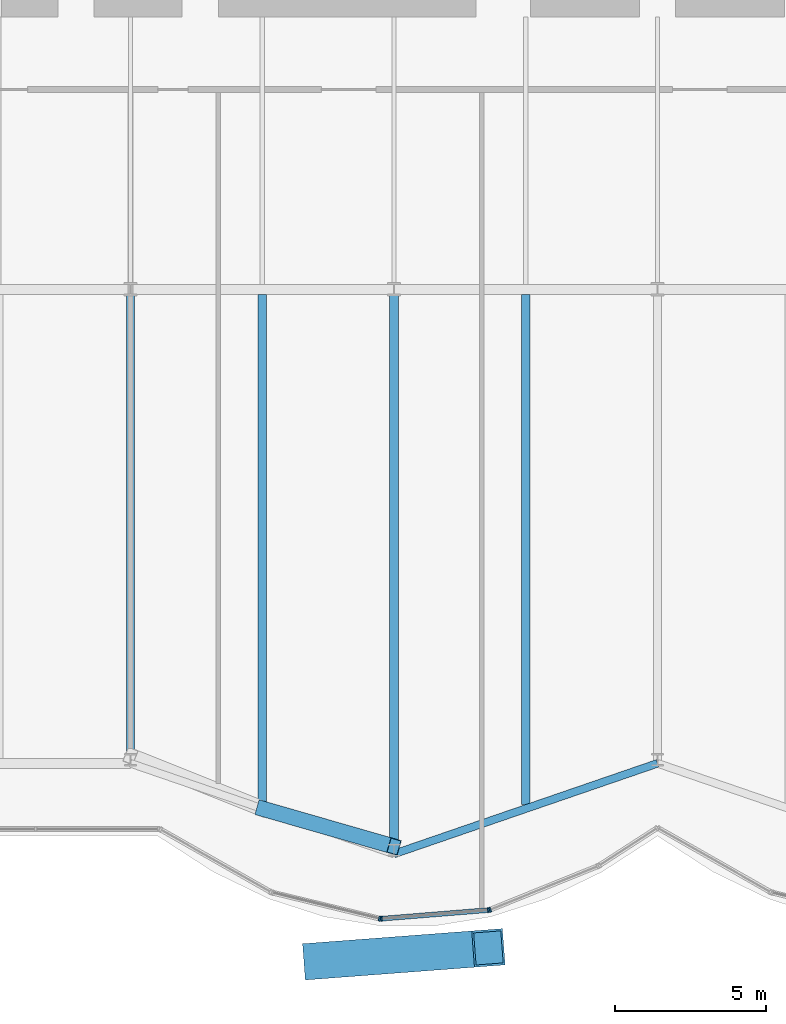
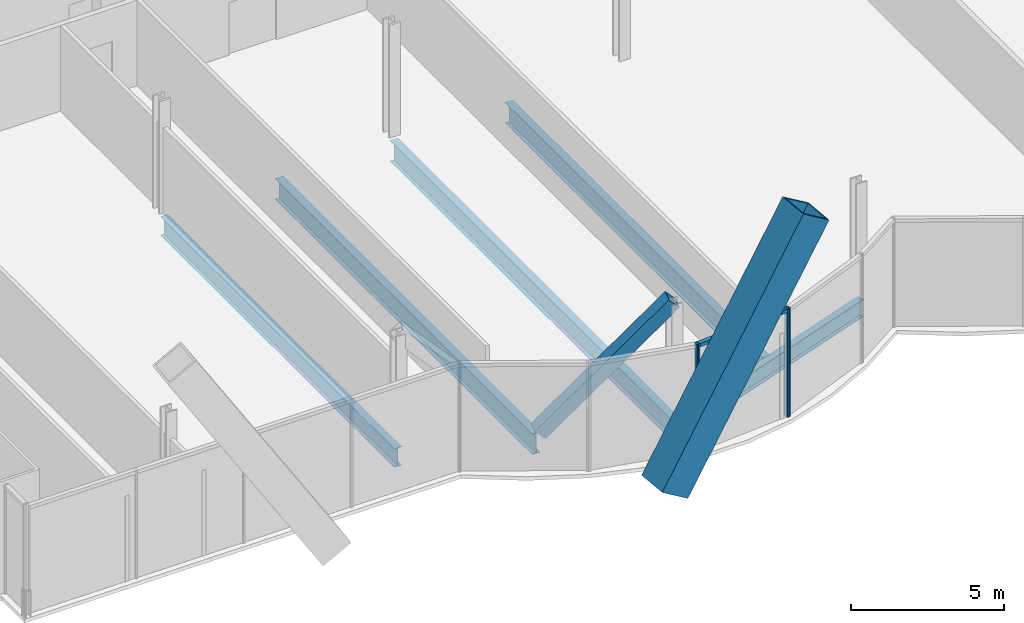
# One storey, part 5 of 22: 7 members, 5 beams, 1 element without a shape of its own.
"""IFC4 building model written with IfcOpenShell, lengths in metres."""

from ifc_helpers import new_model, si_unit, direction, frame, origin, origin_2d, place, context, subcontext, project, spatial, rectangle, hollow_rectangle, i_section, extrude, material, material_profile, profile_set, type_object, element, aggregate, save


model = new_model("IFC4")

# Units and contexts
model_context = context("Model", 3, precision=1e-05, world=origin(), true_north=direction((0.0, 1.0)))
body_context = subcontext(model_context, "Body", "Model", "MODEL_VIEW")
ifc_project = project(units=[si_unit("LENGTHUNIT", "METRE"), si_unit("AREAUNIT", "SQUARE_METRE"), si_unit("VOLUMEUNIT", "CUBIC_METRE"), si_unit("PLANEANGLEUNIT", "RADIAN"), si_unit("MASSUNIT", "GRAM", prefix="KILO")], contexts=[model_context])

# Site, building, storey
site_placement = place(None, origin())
site = spatial("IfcSite", under=ifc_project, at=site_placement, CompositionType="ELEMENT")
building_placement = place(site_placement, origin())
building = spatial("IfcBuilding", under=site, at=building_placement, Name="Bicima Exchange Tower", CompositionType="ELEMENT")
storey_placement = place(building_placement, frame((0.0, 0.0, 71.0)))
storey = spatial("IfcBuildingStorey", under=building, at=storey_placement, Name="L14", CompositionType="ELEMENT", Elevation=71.0)

# Member
ifc_material_1 = material(Name="Steel ASTM A572 Gr 50", Category="steel")
ifc_material_profile_1 = material_profile(ifc_material_1, hollow_rectangle(XDim=1.199951171875, YDim=1.199951171875, WallThickness=0.070068359375, at=origin_2d()))
ifc_profile_set_1 = profile_set([ifc_material_profile_1], Name="Steel ASTM A572 Gr 50")
member_type_1 = type_object("IfcMemberType", Name="Exo mega brace BOX 1200x1200x70", PredefinedType="BRACE", material=ifc_profile_set_1)
member_1_placement = place(storey_placement, frame((-11.166748046875, -44.164794921875, 0.14990234375), z_axis=(0.529937371466, 0.040087085817, 0.847088783939), x_axis=(-0.075429447935, 0.997151141194, 0.0)))
element("IfcMember", 1, at=member_1_placement, inside=storey, type_object=member_type_1, Name="Exo mega brace front", PredefinedType="BRACE", context=body_context, shape_type="SweptSolid", body=[
    extrude(hollow_rectangle(XDim=1.199951171875, YDim=1.199951171875, WallThickness=0.070068359375, at=origin_2d()), origin(), (0.0, 0.0, 1.0), 10.5361328125),
])

# Beams
ifc_material_2 = material(Name="Steel ASTM A992 Gr 50", Category="steel")
ifc_material_profile_2 = material_profile(ifc_material_2, i_section(OverallWidth=0.2666015625, OverallDepth=0.75439453125, WebThickness=0.01318359375, FlangeThickness=0.01708984375, at=origin_2d()))
ifc_profile_set_2 = profile_set([ifc_material_profile_2], Name="Steel ASTM A992 Gr 50")
beam_type_1 = type_object("IfcBeamType", Name="Floor beam W30x99", PredefinedType="JOIST", material=ifc_profile_set_2)
beam_1_placement = place(storey_placement, frame((-17.39990234375, -22.16259765625, -0.527099609375), z_axis=(0.0, -1.0, 0.0), x_axis=(1.0, 0.0, 0.0)))
element("IfcBeam", 2, at=beam_1_placement, inside=storey, type_object=beam_type_1, Name="Floor beam", PredefinedType="JOIST", context=body_context, shape_type="SweptSolid", body=[
    extrude(i_section(OverallWidth=0.2666015625, OverallDepth=0.75439453125, WebThickness=0.01318359375, FlangeThickness=0.01708984375, at=origin_2d()), origin(), (0.0, 0.0, 1.0), 15.32275390625),
])
ifc_material_profile_3 = material_profile(ifc_material_2, i_section(OverallWidth=0.2919921875, OverallDepth=0.835693359375, WebThickness=0.013916015625, FlangeThickness=0.018798828125, at=origin_2d()))
ifc_profile_set_3 = profile_set([ifc_material_profile_3], Name="Steel ASTM A992 Gr 50")
beam_type_2 = type_object("IfcBeamType", Name="Floor beam W33x118", PredefinedType="JOIST", material=ifc_profile_set_3)
beam_2_placement = place(storey_placement, frame((-13.050048828125, -22.16259765625, -0.56787109375), z_axis=(0.0, -1.0, 0.0), x_axis=(1.0, 0.0, 0.0)))
element("IfcBeam", 3, at=beam_2_placement, inside=storey, type_object=beam_type_2, Name="Floor beam", PredefinedType="JOIST", context=body_context, shape_type="SweptSolid", body=[
    extrude(i_section(OverallWidth=0.2919921875, OverallDepth=0.835693359375, WebThickness=0.013916015625, FlangeThickness=0.018798828125, at=origin_2d()), origin(), (0.0, 0.0, 1.0), 16.84521484375),
])
beam_3_placement = place(storey_placement, frame((-8.699951171875, -22.16259765625, -0.56787109375), z_axis=(0.0, -1.0, 0.0), x_axis=(1.0, 0.0, 0.0)))
element("IfcBeam", 4, at=beam_3_placement, inside=storey, type_object=beam_type_2, Name="Floor beam", PredefinedType="JOIST", context=body_context, shape_type="SweptSolid", body=[
    extrude(i_section(OverallWidth=0.2919921875, OverallDepth=0.835693359375, WebThickness=0.013916015625, FlangeThickness=0.018798828125, at=origin_2d()), origin(), (0.0, 0.0, 1.0), 18.3408203125),
])
beam_4_placement = place(storey_placement, frame((-4.35009765625, -22.16259765625, -0.56787109375), z_axis=(0.0, -1.0, 0.0), x_axis=(1.0, 0.0, 0.0)))
element("IfcBeam", 5, at=beam_4_placement, inside=storey, type_object=beam_type_2, Name="Floor beam", PredefinedType="JOIST", context=body_context, shape_type="SweptSolid", body=[
    extrude(i_section(OverallWidth=0.2919921875, OverallDepth=0.835693359375, WebThickness=0.013916015625, FlangeThickness=0.018798828125, at=origin_2d()), origin(), (0.0, 0.0, 1.0), 16.84521484375),
])
ifc_material_profile_4 = material_profile(ifc_material_2, i_section(OverallWidth=0.256591796875, OverallDepth=0.693359375, WebThickness=0.014404296875, FlangeThickness=0.023681640625, at=origin_2d()))
ifc_profile_set_4 = profile_set([ifc_material_profile_4], Name="Steel ASTM A992 Gr 50")
beam_type_3 = type_object("IfcBeamType", Name="Front girder W27x114", PredefinedType="BEAM", material=ifc_profile_set_4)
beam_5_placement = place(storey_placement, frame((-8.699951171875, -40.63916015625, -0.49658203125), z_axis=(0.945666456746, 0.325138359143, 0.0), x_axis=(-0.325138359143, 0.945666456746, 0.0)))
element("IfcBeam", 6, at=beam_5_placement, inside=storey, type_object=beam_type_3, Name="Front girder", PredefinedType="BEAM", context=body_context, shape_type="SweptSolid", body=[
    extrude(i_section(OverallWidth=0.256591796875, OverallDepth=0.693359375, WebThickness=0.014404296875, FlangeThickness=0.023681640625, at=origin_2d()), origin(), (0.0, 0.0, 1.0), 9.19970703125),
])

# Curtain wall, members
ifc_material_3 = material(Name="Anodised bronze aluminium", Category="aluminium")
curtain_wall_type = type_object("IfcCurtainWallType", Name="Front glass wall", PredefinedType="NOTDEFINED", material=ifc_material_3)
curtain_wall_placement = place(storey_placement, origin())
curtain_wall = element("IfcCurtainWall", 7, at=curtain_wall_placement, inside=storey, type_object=curtain_wall_type, Name="Front glass wall L14 run 6", PredefinedType="NOTDEFINED")
ifc_material_profile_5 = material_profile(ifc_material_3, rectangle(XDim=0.159912109375, YDim=0.06005859375, at=origin_2d()))
ifc_profile_set_5 = profile_set([ifc_material_profile_5], Name="Anodised bronze aluminium")
member_type_2 = type_object("IfcMemberType", Name="Front glass wall mullion 60 x 160", PredefinedType="MULLION", material=ifc_profile_set_5)
member_2_placement = place(storey_placement, frame((-9.177490234375, -42.77392578125, 0.0), z_axis=(0.0, 0.0, 1.0), x_axis=(0.235681529503, 0.971830343553, 0.0)))
member_2 = element("IfcMember", 8, at=member_2_placement, type_object=member_type_2, Name="Front glass wall mullion 2", PredefinedType="MULLION", context=body_context, shape_type="SweptSolid", body=[
    extrude(rectangle(XDim=0.159912109375, YDim=0.06005859375, at=origin_2d()), origin(), (0.0, 0.0, 1.0), 4.35009765625),
])
member_3_placement = place(storey_placement, frame((-9.118408203125, -42.778564453125, 0.0), z_axis=(0.0, 0.0, 1.0), x_axis=(-0.080588612633, 0.99674744821, 0.0)))
member_3 = element("IfcMember", 9, at=member_3_placement, type_object=member_type_2, Name="Front glass wall mullion 1", PredefinedType="MULLION", context=body_context, shape_type="SweptSolid", body=[
    extrude(rectangle(XDim=0.159912109375, YDim=0.06005859375, at=origin_2d()), origin(), (0.0, 0.0, 1.0), 4.35009765625),
])
member_4_placement = place(storey_placement, frame((-5.583984375, -42.492919921875, 0.0), z_axis=(0.0, 0.0, 1.0), x_axis=(-0.080588612633, 0.99674744821, 0.0)))
member_4 = element("IfcMember", 10, at=member_4_placement, type_object=member_type_2, Name="Front glass wall mullion 2", PredefinedType="MULLION", context=body_context, shape_type="SweptSolid", body=[
    extrude(rectangle(XDim=0.159912109375, YDim=0.06005859375, at=origin_2d()), origin(), (0.0, 0.0, 1.0), 4.35009765625),
])
member_5_placement = place(storey_placement, frame((-5.526123046875, -42.479248046875, 0.0), z_axis=(0.0, 0.0, 1.0), x_axis=(-0.374705304, 0.92714396679, 0.0)))
member_5 = element("IfcMember", 11, at=member_5_placement, type_object=member_type_2, Name="Front glass wall mullion 1", PredefinedType="MULLION", context=body_context, shape_type="SweptSolid", body=[
    extrude(rectangle(XDim=0.159912109375, YDim=0.06005859375, at=origin_2d()), origin(), (0.0, 0.0, 1.0), 4.35009765625),
])
ifc_material_profile_6 = material_profile(ifc_material_3, rectangle(XDim=0.159912109375, YDim=0.139892578125, at=origin_2d()))
ifc_profile_set_6 = profile_set([ifc_material_profile_6], Name="Anodised bronze aluminium")
member_type_3 = type_object("IfcMemberType", Name="Front glass wall transom 140 x 160", PredefinedType="USERDEFINED", material=ifc_profile_set_6)
member_6_placement = place(storey_placement, frame((-9.08837890625, -42.776123046875, 4.280029296875), z_axis=(0.9967456465, 0.080610893699, 0.0), x_axis=(-0.080610893699, 0.9967456465, 0.0)))
member_6 = element("IfcMember", 12, at=member_6_placement, type_object=member_type_3, Name="Front glass wall transom 1.1", ObjectType="TRANSOM", PredefinedType="USERDEFINED", context=body_context, shape_type="SweptSolid", body=[
    extrude(rectangle(XDim=0.159912109375, YDim=0.139892578125, at=origin_2d()), origin(), (0.0, 0.0, 1.0), 3.48583984375),
])
aggregate(curtain_wall, [member_2, member_3, member_4, member_6, member_5])

# Member
ifc_material_profile_7 = material_profile(ifc_material_1, hollow_rectangle(XDim=0.508056640625, YDim=0.508056640625, WallThickness=0.017822265625, at=origin_2d()))
ifc_profile_set_7 = profile_set([ifc_material_profile_7], Name="Steel ASTM A572 Gr 50")
member_type_4 = type_object("IfcMemberType", Name="Mega brace HSS20x20x3/4", PredefinedType="BRACE", material=ifc_profile_set_7)
member_7_placement = place(storey_placement, frame((-13.050048828125, -39.1435546875, 0.0), z_axis=(0.681539584879, -0.196069812105, 0.705025122264), x_axis=(0.276473064615, 0.961021667052, 0.0)))
element("IfcMember", 13, at=member_7_placement, inside=storey, type_object=member_type_4, Name="Mega brace front", PredefinedType="BRACE", context=body_context, shape_type="SweptSolid", body=[
    extrude(hollow_rectangle(XDim=0.508056640625, YDim=0.508056640625, WallThickness=0.017822265625, at=origin_2d()), origin(), (0.0, 0.0, 1.0), 6.3828125),
])

save(model, "model.ifc")
